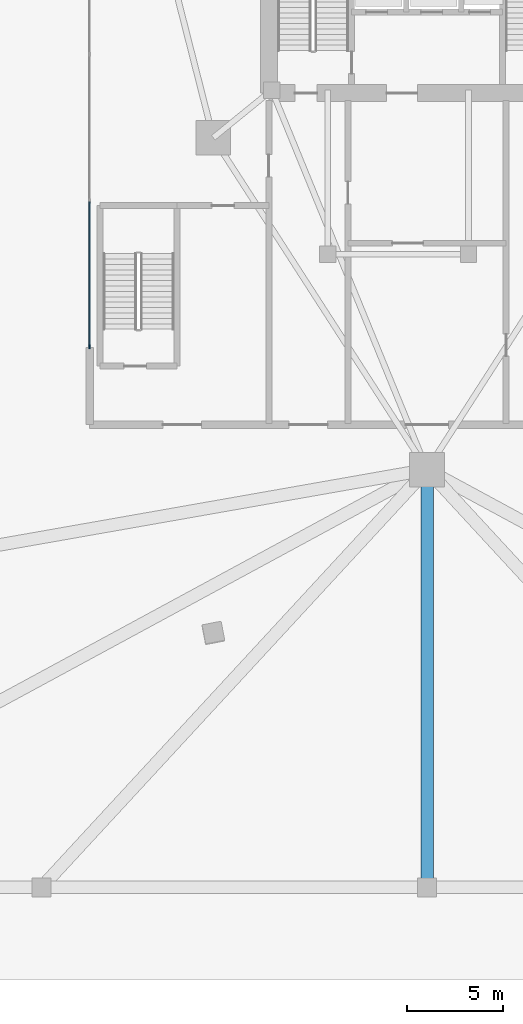
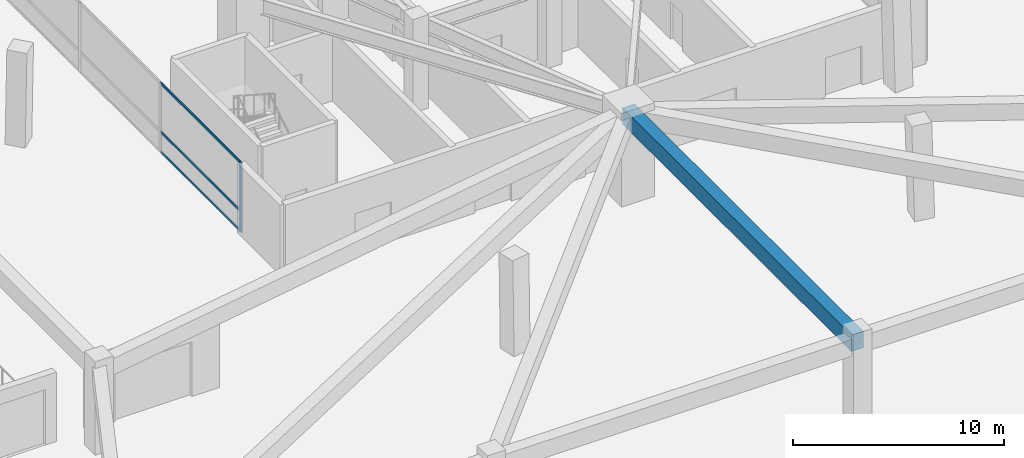
# One storey, part 2 of 19: 4 members, 1 beam, 1 element without a shape of its own.
"""IFC4 building model written with IfcOpenShell, lengths in metres."""

from ifc_helpers import new_model, si_unit, direction, frame, origin, origin_2d, place, context, subcontext, project, spatial, rectangle, extrude, material, layer, layer_set, material_profile, profile_set, type_object, element, aggregate, save


model = new_model("IFC4")

# Units and contexts
model_context = context("Model", 3, precision=1e-05, world=origin(), true_north=direction((0.0, 1.0)))
body_context = subcontext(model_context, "Body", "Model", "MODEL_VIEW")
ifc_project = project(units=[si_unit("LENGTHUNIT", "METRE"), si_unit("AREAUNIT", "SQUARE_METRE"), si_unit("VOLUMEUNIT", "CUBIC_METRE"), si_unit("PLANEANGLEUNIT", "RADIAN"), si_unit("MASSUNIT", "GRAM", prefix="KILO")], contexts=[model_context])

# Site, building, storey
site_placement = place(None, origin())
site = spatial("IfcSite", under=ifc_project, at=site_placement, CompositionType="ELEMENT")
building_placement = place(site_placement, origin())
building = spatial("IfcBuilding", under=site, at=building_placement, Name="Talyreon Biosciences Tower", CompositionType="ELEMENT")
storey_placement = place(building_placement, origin())
storey = spatial("IfcBuildingStorey", under=building, at=storey_placement, Name="L00", CompositionType="ELEMENT", Elevation=0.0)

# Curtain wall, members
ifc_material_1 = material(Name="Thermally broken aluminium and low-E glazing", Category="aluminium")
ifc_layer = layer(ifc_material_1, 0.219970703125)
ifc_layer_set = layer_set([ifc_layer], Name="Thermally broken aluminium and low-E glazing")
curtain_wall_type = type_object("IfcCurtainWallType", Name="CurtainWall_PodiumDoubleHeight", PredefinedType="NOTDEFINED", material=ifc_layer_set)
curtain_wall_placement = place(storey_placement, origin())
curtain_wall = element("IfcCurtainWall", 1, at=curtain_wall_placement, inside=storey, type_object=curtain_wall_type, Name="L00 Unitised Curtain Wall FCW-L00-W", PredefinedType="NOTDEFINED")
ifc_material_2 = material(Name="Anodised thermally broken aluminium", Category="aluminium")
ifc_material_profile_1 = material_profile(ifc_material_2, rectangle(XDim=0.074951171875, YDim=0.2099609375, at=origin_2d()), Name="ALUM MULLION 75x210")
ifc_profile_set_1 = profile_set([ifc_material_profile_1], Name="Anodised thermally broken aluminium")
member_type_1 = type_object("IfcMemberType", Name="CWMullion_75x210", PredefinedType="MULLION", material=ifc_profile_set_1)
member_1_placement = place(storey_placement, frame((48.5, 48.03759765625, 0.0), z_axis=(0.0, 0.0, 1.0), x_axis=(-1.0, 0.0, 0.0)))
member_1 = element("IfcMember", 2, at=member_1_placement, type_object=member_type_1, Name="CW1 mullion 1", PredefinedType="MULLION", context=body_context, shape_type="SweptSolid", body=[
    extrude(rectangle(XDim=0.074951171875, YDim=0.2099609375, at=origin_2d()), origin(), (0.0, 0.0, 1.0), 4.030029296875),
])
ifc_material_profile_2 = material_profile(ifc_material_2, rectangle(XDim=0.06494140625, YDim=0.139892578125, at=origin_2d()), Name="ALUM TRANSOM 65x140")
ifc_profile_set_2 = profile_set([ifc_material_profile_2], Name="Anodised thermally broken aluminium")
member_type_2 = type_object("IfcMemberType", Name="CWTransom_65x140", PredefinedType="USERDEFINED", material=ifc_profile_set_2)
member_2_placement = place(storey_placement, frame((48.5, 48.074951171875, 0.032470703125), z_axis=(0.0, 1.0, 0.0), x_axis=(-1.0, 0.0, 0.0)))
member_2 = element("IfcMember", 3, at=member_2_placement, type_object=member_type_2, Name="CW1 transom 1.1", ObjectType="TRANSOM", PredefinedType="USERDEFINED", context=body_context, shape_type="SweptSolid", body=[
    extrude(rectangle(XDim=0.06494140625, YDim=0.139892578125, at=origin_2d()), origin(), (0.0, 0.0, 1.0), 7.487548828125),
])
member_3_placement = place(storey_placement, frame((48.5, 48.074951171875, 1.199951171875), z_axis=(0.0, 1.0, 0.0), x_axis=(-1.0, 0.0, 0.0)))
member_3 = element("IfcMember", 4, at=member_3_placement, type_object=member_type_2, Name="CW1 transom 1.2", ObjectType="TRANSOM", PredefinedType="USERDEFINED", context=body_context, shape_type="SweptSolid", body=[
    extrude(rectangle(XDim=0.06494140625, YDim=0.139892578125, at=origin_2d()), origin(), (0.0, 0.0, 1.0), 7.487548828125),
])
member_4_placement = place(storey_placement, frame((48.5, 48.074951171875, 3.99755859375), z_axis=(0.0, 1.0, 0.0), x_axis=(-1.0, 0.0, 0.0)))
member_4 = element("IfcMember", 5, at=member_4_placement, type_object=member_type_2, Name="CW1 transom 1.3", ObjectType="TRANSOM", PredefinedType="USERDEFINED", context=body_context, shape_type="SweptSolid", body=[
    extrude(rectangle(XDim=0.06494140625, YDim=0.139892578125, at=origin_2d()), origin(), (0.0, 0.0, 1.0), 7.487548828125),
])
aggregate(curtain_wall, [member_1, member_2, member_3, member_4])

# Beam
ifc_material_3 = material(Name="Concrete C50/60", Category="concrete")
ifc_material_profile_3 = material_profile(ifc_material_3, rectangle(XDim=0.64990234375, YDim=0.949951171875, at=origin_2d()), Name="RCB 650x950")
ifc_profile_set_3 = profile_set([ifc_material_profile_3], Name="Concrete C50/60")
beam_type = type_object("IfcBeamType", Name="PodiumGirder_650x950", PredefinedType="T_BEAM", material=ifc_profile_set_3)
beam_placement = place(storey_placement, frame((66.0, 41.6669921875, 4.52490234375), z_axis=(0.0, -1.0, 0.0), x_axis=(1.0, 0.0, 0.0)))
element("IfcBeam", 6, at=beam_placement, inside=storey, type_object=beam_type, Name="L00 Podium Radial Tie Girder PDC03", PredefinedType="T_BEAM", context=body_context, shape_type="SweptSolid", body=[
    extrude(rectangle(XDim=0.64990234375, YDim=0.949951171875, at=origin_2d()), origin(), (0.0, 0.0, 1.0), 21.6669921875),
])

save(model, "model.ifc")
